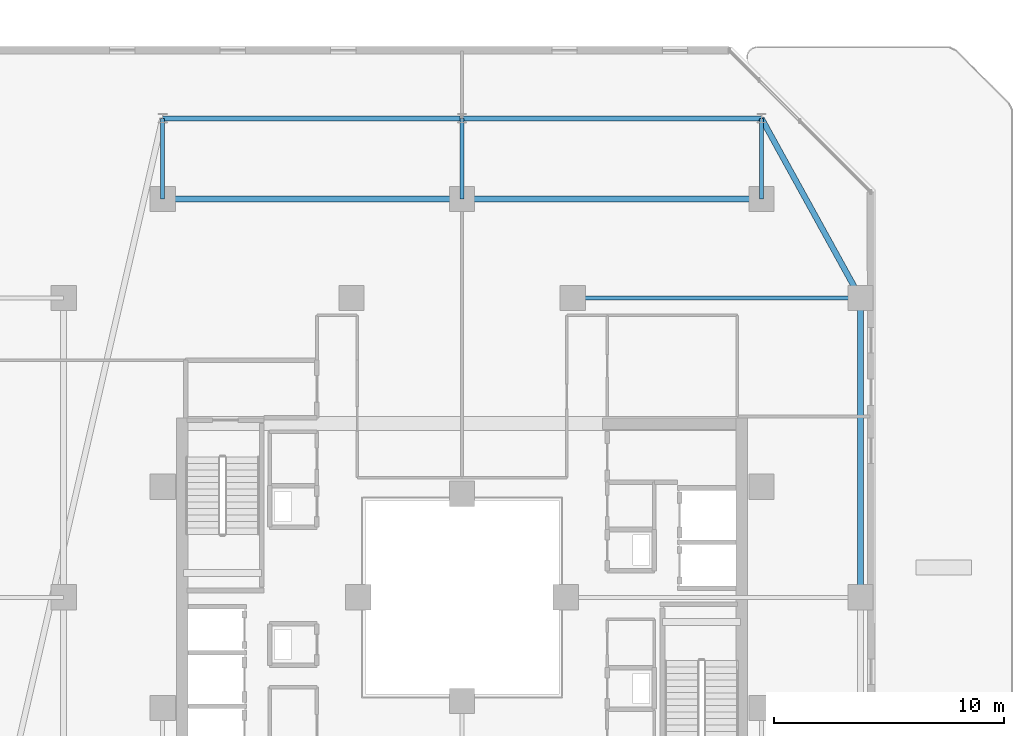
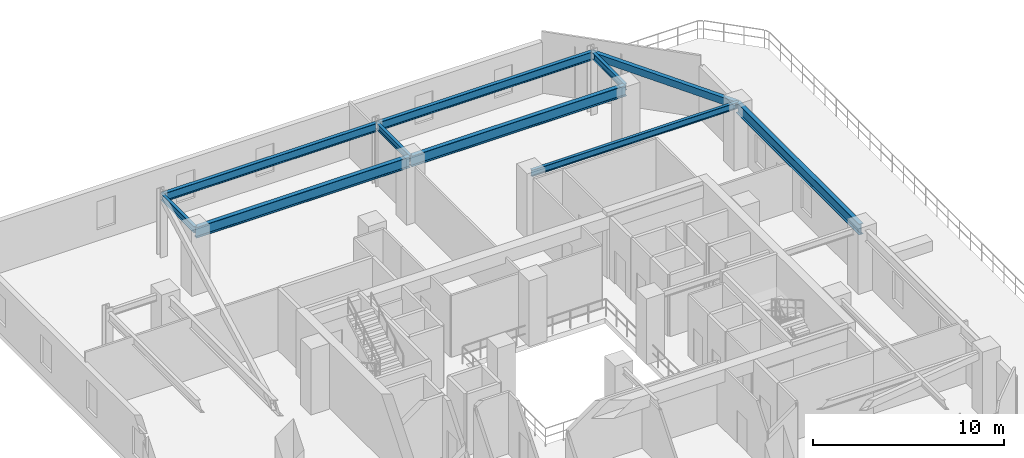
# One storey, part 16 of 33: 10 beams.
"""IFC4 building model written with IfcOpenShell, lengths in metres."""

import ifcopenshell
import ifcopenshell.guid

model = None  # the IFC model being written
_history = None  # IfcOwnerHistory: only IFC2X3 demands one
_inside = {}  # id of a spatial element -> (the spatial element, [elements in it])
_under = {}  # id of a project, library or spatial element -> (it, [spatial elements below it])
_declared = {}  # id of a project -> (the project, [libraries it declares])
_typed = {}  # id of a type object -> (the type object, [elements of that type])
_made_of = {}  # id of a material, layer set ... -> (it, [elements and type objects made of it])


def new_model(schema):
    """Start an empty IFC model of exactly this schema.

    Asked for "IFC4X3", IfcOpenShell would pick the latest addendum, in which some entities
    have other attributes; the version numbers below select the first issue.
    IFC2X3 requires an IfcOwnerHistory on every rooted entity: one is made here for all.
    """
    global model, _history
    if schema == "IFC4X3":
        model = ifcopenshell.file(schema_version=(4, 3, 0, 0))
    else:
        model = ifcopenshell.file(schema=schema)
    _inside.clear()
    _under.clear()
    _declared.clear()
    _typed.clear()
    _made_of.clear()
    _history = None
    if model.schema == "IFC2X3":
        org = make("IfcOrganization", Name="unknown")
        user = make(
            "IfcPersonAndOrganization",
            ThePerson=make("IfcPerson", FamilyName="unknown"),
            TheOrganization=org,
        )
        app = make(
            "IfcApplication",
            ApplicationDeveloper=org,
            Version="unknown",
            ApplicationFullName="unknown",
            ApplicationIdentifier="unknown",
        )
        _history = make(
            "IfcOwnerHistory",
            OwningUser=user,
            OwningApplication=app,
            ChangeAction="ADDED",
            CreationDate=0,
        )
    return model


def make(cls, **values):
    """One entity of the class cls with the attributes given. An attribute that is None is left unset."""
    return model.create_entity(
        cls, **{name: value for name, value in values.items() if value is not None}
    )


def rooted(cls, **values):
    """An entity with a GlobalId (a new one), such as an element, a storey or a relation."""
    return make(cls, GlobalId=ifcopenshell.guid.new(), OwnerHistory=_history, **values)


def si_unit(unit_type, name, prefix=None):
    """IfcSIUnit, for example si_unit("LENGTHUNIT", "METRE", prefix="MILLI")."""
    return make("IfcSIUnit", UnitType=unit_type, Prefix=prefix, Name=name)


def assignment(units):
    """IfcUnitAssignment: the units of a project."""
    return None if units is None else make("IfcUnitAssignment", Units=units)


def point(xyz):
    """IfcCartesianPoint."""
    return None if xyz is None else make("IfcCartesianPoint", Coordinates=xyz)


def direction(xyz):
    """IfcDirection."""
    return None if xyz is None else make("IfcDirection", DirectionRatios=xyz)


def frame(location, z_axis=None, x_axis=None):
    """IfcAxis2Placement3D, a coordinate frame: its origin and axes. An axis left out is left unset."""
    return make(
        "IfcAxis2Placement3D",
        Location=point(location),
        Axis=direction(z_axis),
        RefDirection=direction(x_axis),
    )


def frame_2d(location, x_axis=None):
    """IfcAxis2Placement2D, a coordinate frame in the plane: its origin and x axis."""
    return make(
        "IfcAxis2Placement2D", Location=point(location), RefDirection=direction(x_axis)
    )


def origin():
    """The frame at (0, 0, 0) with its axes left unset."""
    return frame((0.0, 0.0, 0.0))


def origin_2d():
    """The frame at (0, 0) in the plane with its x axis left unset."""
    return frame_2d((0.0, 0.0))


def place(relative_to, where):
    """IfcLocalPlacement: puts the frame where relative to a parent placement (None: the world)."""
    return make(
        "IfcLocalPlacement", PlacementRelTo=relative_to, RelativePlacement=where
    )


def context(
    kind, dimensions, precision=None, world=None, true_north=None, identifier=None
):
    """IfcGeometricRepresentationContext, for example the 3D "Model" context."""
    return make(
        "IfcGeometricRepresentationContext",
        ContextIdentifier=identifier,
        ContextType=kind,
        CoordinateSpaceDimension=dimensions,
        Precision=precision,
        WorldCoordinateSystem=world,
        TrueNorth=true_north,
    )


def subcontext(parent, identifier, kind, view, scale=None):
    """IfcGeometricRepresentationSubContext, for example "Body" below "Model"."""
    return make(
        "IfcGeometricRepresentationSubContext",
        ContextIdentifier=identifier,
        ContextType=kind,
        ParentContext=parent,
        TargetScale=scale,
        TargetView=view,
    )


def project(units=None, contexts=None):
    """IfcProject with its units and contexts."""
    return rooted(
        "IfcProject",
        Name="project",
        RepresentationContexts=contexts,
        UnitsInContext=assignment(units),
    )


def spatial(cls, under=None, at=None, **own):
    """A site, building, storey or space (cls), placed at a placement, below another one or the project."""
    s = rooted(cls, ObjectPlacement=at, **own)
    if under is not None:
        _under.setdefault(under.id(), (under, []))[1].append(s)
    return s


def profile(cls, at=None, kind="AREA", **sizes):
    """A parametric profile (cls). Its sizes go by their IFC names, for example OverallWidth=200.0."""
    return make(cls, ProfileType=kind, Position=at, **sizes)


def hollow_rectangle(**sizes):
    """IfcRectangleHollowProfileDef."""
    return profile("IfcRectangleHollowProfileDef", **sizes)


def i_section(**sizes):
    """IfcIShapeProfileDef."""
    return profile("IfcIShapeProfileDef", **sizes)


def extrude(swept, where, along, depth):
    """IfcExtrudedAreaSolid: the profile swept, set in the frame where, extruded along a direction by depth."""
    return make(
        "IfcExtrudedAreaSolid",
        SweptArea=swept,
        Position=where,
        ExtrudedDirection=direction(along),
        Depth=depth,
    )


def shape(context_of_items, identifier, shape_type, items):
    """IfcShapeRepresentation: the items that make up one representation, for example the "Body"."""
    return make(
        "IfcShapeRepresentation",
        ContextOfItems=context_of_items,
        RepresentationIdentifier=identifier,
        RepresentationType=shape_type,
        Items=items,
    )


def material(Name=None, Category=None):
    """IfcMaterial."""
    return make("IfcMaterial", Name=Name, Category=Category)


def material_profile(
    of_material, cross_section, Name=None, Category=None, Priority=None
):
    """IfcMaterialProfile: a cross section and its material."""
    return make(
        "IfcMaterialProfile",
        Name=Name,
        Material=of_material,
        Profile=cross_section,
        Priority=Priority,
        Category=Category,
    )


def profile_set(profiles, Name=None, composite=None):
    """IfcMaterialProfileSet."""
    return make(
        "IfcMaterialProfileSet",
        Name=Name,
        MaterialProfiles=profiles,
        CompositeProfile=composite,
    )


def made_of(thing, what):
    """Note that an element or type object is made of a material, layer set ...; save() writes the relation."""
    if what is not None:
        _made_of.setdefault(what.id(), (what, []))[1].append(thing)
    return thing


def type_object(cls, material=None, **own):
    """A type object (cls), such as IfcWallType, which elements share."""
    return made_of(rooted(cls, **own), material)


def element(
    cls,
    number,
    at=None,
    inside=None,
    cuts=None,
    type_object=None,
    material=None,
    context=None,
    identifier="Body",
    shape_type=None,
    held_by="IfcProductDefinitionShape",
    body=None,
    shapes=None,
    **own,
):
    """One element of the class cls, such as IfcWall. Its Tag is "e" and its number.

    at: its placement. inside: the storey or other place that contains it. cuts: it is an
    opening in that element (IfcRelVoidsElement). A single representation is given by context,
    identifier, shape_type and body (its items); several are given by shapes. held_by: the class
    of the entity that holds the representations. save() writes the other relations.
    """
    e = rooted(cls, Tag="e%d" % number, ObjectPlacement=at, **own)
    if body is not None:
        shapes = [shape(context, identifier, shape_type, body)]
    if shapes is not None:
        e.Representation = make(held_by, Representations=shapes)
    if inside is not None:
        _inside.setdefault(inside.id(), (inside, []))[1].append(e)
    if cuts is not None:
        rooted(
            "IfcRelVoidsElement", RelatingBuildingElement=cuts, RelatedOpeningElement=e
        )
    if type_object is not None:
        _typed.setdefault(type_object.id(), (type_object, []))[1].append(e)
    return made_of(e, material)


def aggregate(whole, parts):
    """IfcRelAggregates: a whole, such as a stair, and the parts it consists of."""
    return rooted("IfcRelAggregates", RelatingObject=whole, RelatedObjects=parts)


def save(model, path):
    """Write the relations noted so far, then the file.

    IfcRelAggregates (storeys below a building ...), IfcRelContainedInSpatialStructure (elements
    in a storey), IfcRelDefinesByType, IfcRelAssociatesMaterial and IfcRelDeclares: one each for
    every whole, place, type object, material and project.
    """
    for whole, parts in _under.values():
        aggregate(whole, parts)
    for where, things in _inside.values():
        rooted(
            "IfcRelContainedInSpatialStructure",
            RelatedElements=things,
            RelatingStructure=where,
        )
    for kind, things in _typed.values():
        rooted("IfcRelDefinesByType", RelatedObjects=things, RelatingType=kind)
    for what, things in _made_of.values():
        rooted("IfcRelAssociatesMaterial", RelatedObjects=things, RelatingMaterial=what)
    for by, libraries in _declared.values():
        rooted("IfcRelDeclares", RelatingContext=by, RelatedDefinitions=libraries)
    model.write(path)


model = new_model("IFC4")

# Units and contexts
model_context = context("Model", 3, precision=1e-05, world=origin(), true_north=direction((0.0, 1.0)))
body_context = subcontext(model_context, "Body", "Model", "MODEL_VIEW")
ifc_project = project(units=[si_unit("LENGTHUNIT", "METRE"), si_unit("AREAUNIT", "SQUARE_METRE"), si_unit("VOLUMEUNIT", "CUBIC_METRE"), si_unit("PLANEANGLEUNIT", "RADIAN"), si_unit("MASSUNIT", "GRAM", prefix="KILO")], contexts=[model_context])

# Site, building, storey
site_placement = place(None, origin())
site = spatial("IfcSite", under=ifc_project, at=site_placement, CompositionType="ELEMENT")
building_placement = place(site_placement, origin())
building = spatial("IfcBuilding", under=site, at=building_placement, Name="Thornwick Lancets Civic Towers", CompositionType="ELEMENT")
storey_placement = place(building_placement, frame((0.0, 0.0, 174.300048828125)))
storey = spatial("IfcBuildingStorey", under=building, at=storey_placement, Name="L46", CompositionType="ELEMENT", Elevation=174.300048828125)

# Beams
ifc_material = material(Name="Steel S355JR", Category="steel")
ifc_material_profile_1 = material_profile(ifc_material, i_section(OverallWidth=0.210693359375, OverallDepth=0.53955078125, WebThickness=0.01171875, FlangeThickness=0.018798828125, FilletRadius=0.0126953125, at=origin_2d()), Name="UKB 533x210x109")
ifc_profile_set_1 = profile_set([ifc_material_profile_1], Name="Steel S355JR")
beam_type_1 = type_object("IfcBeamType", Name="BM_EDGE_533_109", PredefinedType="SPANDREL", material=ifc_profile_set_1)
beam_1_placement = place(storey_placement, frame((101.5, 47.800048828125, 3.690185546875), z_axis=(-1.0, 0.0, 0.0), x_axis=(0.0, -1.0, 0.0)))
element("IfcBeam", 1, at=beam_1_placement, inside=storey, type_object=beam_type_1, Name="BM-EDGE-L46-B-S1-1", PredefinedType="SPANDREL", context=body_context, shape_type="SweptSolid", body=[
    extrude(i_section(OverallWidth=0.210693359375, OverallDepth=0.53955078125, WebThickness=0.01171875, FlangeThickness=0.018798828125, FilletRadius=0.0126953125, at=origin_2d()), origin(), (0.0, 0.0, 1.0), 13.0),
])
beam_2_placement = place(storey_placement, frame((88.419921875, 47.800048828125, 3.690185546875), z_axis=(-1.0, 0.0, 0.0), x_axis=(0.0, -1.0, 0.0)))
element("IfcBeam", 2, at=beam_2_placement, inside=storey, type_object=beam_type_1, Name="BM-EDGE-L46-B-S1-2", PredefinedType="SPANDREL", context=body_context, shape_type="SweptSolid", body=[
    extrude(i_section(OverallWidth=0.210693359375, OverallDepth=0.53955078125, WebThickness=0.01171875, FlangeThickness=0.018798828125, FilletRadius=0.0126953125, at=origin_2d()), origin(), (0.0, 0.0, 1.0), 12.919921875),
])
ifc_material_profile_2 = material_profile(ifc_material, i_section(OverallWidth=0.255859375, OverallDepth=0.69287109375, WebThickness=0.014404296875, FlangeThickness=0.023681640625, FilletRadius=0.01513671875, at=origin_2d()), Name="UKB 686x254x170")
ifc_profile_set_2 = profile_set([ifc_material_profile_2], Name="Steel S355JR")
beam_type_2 = type_object("IfcBeamType", Name="BM_GIRD_686_170", PredefinedType="BEAM", material=ifc_profile_set_2)
beam_3_placement = place(storey_placement, frame((105.800048828125, 27.080078125, 3.613525390625), z_axis=(0.0, 1.0, 0.0), x_axis=(-1.0, 0.0, 0.0)))
element("IfcBeam", 3, at=beam_3_placement, inside=storey, type_object=beam_type_2, Name="BM-SPINE-L46-B-1-2", PredefinedType="BEAM", context=body_context, shape_type="SweptSolid", body=[
    extrude(i_section(OverallWidth=0.255859375, OverallDepth=0.69287109375, WebThickness=0.014404296875, FlangeThickness=0.023681640625, FilletRadius=0.01513671875, at=origin_2d()), origin(), (0.0, 0.0, 1.0), 12.919921875),
])
beam_4_placement = place(storey_placement, frame((101.5, 44.300048828125, 3.613525390625), z_axis=(-1.0, 0.0, 0.0), x_axis=(0.0, -1.0, 0.0)))
element("IfcBeam", 4, at=beam_4_placement, inside=storey, type_object=beam_type_2, Name="BM-SPINE-L46-B-3-4", PredefinedType="BEAM", context=body_context, shape_type="SweptSolid", body=[
    extrude(i_section(OverallWidth=0.255859375, OverallDepth=0.69287109375, WebThickness=0.014404296875, FlangeThickness=0.023681640625, FilletRadius=0.01513671875, at=origin_2d()), origin(), (0.0, 0.0, 1.0), 13.0),
])
beam_5_placement = place(storey_placement, frame((88.419921875, 44.300048828125, 3.613525390625), z_axis=(-1.0, 0.0, 0.0), x_axis=(0.0, -1.0, 0.0)))
element("IfcBeam", 5, at=beam_5_placement, inside=storey, type_object=beam_type_2, Name="BM-SPINE-L46-B-4-5", PredefinedType="BEAM", context=body_context, shape_type="SweptSolid", body=[
    extrude(i_section(OverallWidth=0.255859375, OverallDepth=0.69287109375, WebThickness=0.014404296875, FlangeThickness=0.023681640625, FilletRadius=0.01513671875, at=origin_2d()), origin(), (0.0, 0.0, 1.0), 12.919921875),
])
ifc_material_profile_3 = material_profile(ifc_material, i_section(OverallWidth=0.179443359375, OverallDepth=0.412841796875, WebThickness=0.009521484375, FlangeThickness=0.01611328125, FilletRadius=0.01025390625, at=origin_2d()), Name="UKB 406x178x74")
ifc_profile_set_3 = profile_set([ifc_material_profile_3], Name="Steel S355JR")
beam_type_3 = type_object("IfcBeamType", Name="BM_JOIST_406_74", PredefinedType="JOIST", material=ifc_profile_set_3)
beam_6_placement = place(storey_placement, frame((93.300048828125, 40.0, 3.753662109375), z_axis=(1.0, 0.0, 0.0), x_axis=(0.0, 1.0, 0.0)))
element("IfcBeam", 6, at=beam_6_placement, inside=storey, type_object=beam_type_3, Name="BM-RADIN-L46-B03", PredefinedType="JOIST", context=body_context, shape_type="SweptSolid", body=[
    extrude(i_section(OverallWidth=0.179443359375, OverallDepth=0.412841796875, WebThickness=0.009521484375, FlangeThickness=0.01611328125, FilletRadius=0.01025390625, at=origin_2d()), origin(), (0.0, 0.0, 1.0), 12.5),
])
for number, where, z_axis, x_axis, name in (
    (7, (101.5, 44.300048828125, 3.753662109375), (0.0, 1.0, 0.0), (-1.0, 0.0, 0.0), "BM-RAD-L46-B04"),
    (8, (88.5, 44.300048828125, 3.753662109375), (0.0, 1.0, 0.0), (-1.0, 0.0, 0.0), "BM-RAD-L46-B05"),
    (9, (75.5, 44.300048828125, 3.753662109375), (0.0, 1.0, 0.0), (-1.0, 0.0, 0.0), "BM-RAD-L46-B06"),
):
    element("IfcBeam", number, at=place(storey_placement, frame(where, z_axis=z_axis, x_axis=x_axis)), inside=storey, type_object=beam_type_3, Name=name, PredefinedType="JOIST", context=body_context, shape_type="SweptSolid", body=[
        extrude(i_section(OverallWidth=0.179443359375, OverallDepth=0.412841796875, WebThickness=0.009521484375, FlangeThickness=0.01611328125, FilletRadius=0.01025390625, at=origin_2d()), origin(), (0.0, 0.0, 1.0), 3.5),
    ])
ifc_material_profile_4 = material_profile(ifc_material, hollow_rectangle(XDim=0.25, YDim=0.449951171875, WallThickness=0.01611328125, at=origin_2d()), Name="RHS 450x250x16")
ifc_profile_set_4 = profile_set([ifc_material_profile_4], Name="Steel S355JR")
beam_type_4 = type_object("IfcBeamType", Name="BM_RING_RHS450", PredefinedType="BEAM", material=ifc_profile_set_4)
beam_7_placement = place(storey_placement, frame((105.800048828125, 40.0, 3.73486328125), z_axis=(-0.482782395749, 0.875740348708, 0.0), x_axis=(-0.875740348708, -0.482782395749, 0.0)))
element("IfcBeam", 10, at=beam_7_placement, inside=storey, type_object=beam_type_4, Name="BM-CHAMF-L46-B-C0", PredefinedType="BEAM", context=body_context, shape_type="SweptSolid", body=[
    extrude(hollow_rectangle(XDim=0.25, YDim=0.449951171875, WallThickness=0.01611328125, at=origin_2d()), origin(), (0.0, 0.0, 1.0), 8.90673828125),
])

save(model, "model.ifc")
